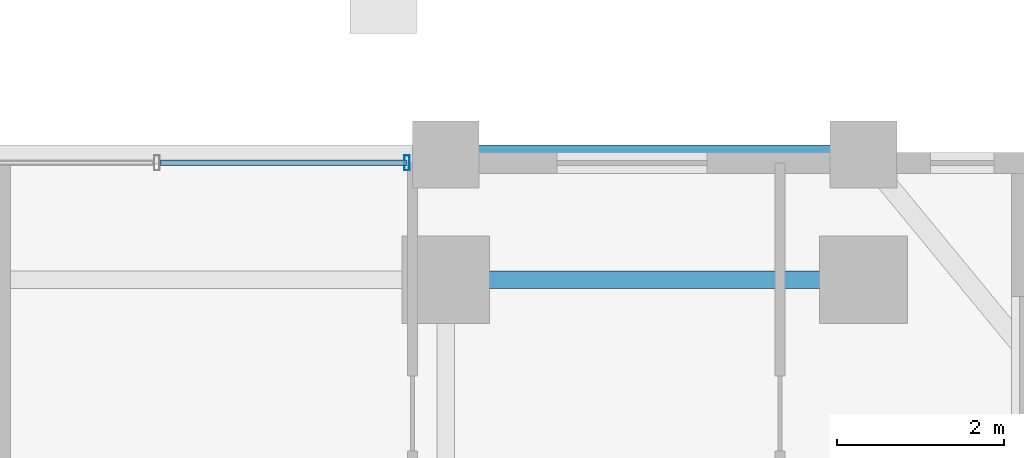
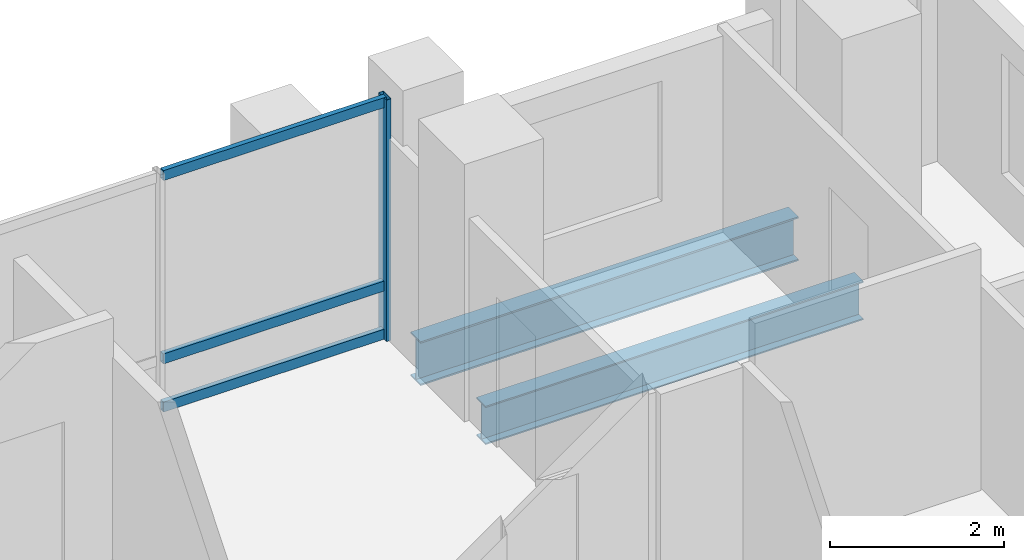
# One storey, part 16 of 24: 4 members, 2 beams, 1 element without a shape of its own.
"""IFC4 building model written with IfcOpenShell, lengths in metres."""

from ifc_helpers import new_model, si_unit, direction, frame, origin, origin_2d, place, context, subcontext, project, spatial, hollow_rectangle, i_section, extrude, material, layer, layer_set, material_profile, profile_set, type_object, element, aggregate, save


model = new_model("IFC4")

# Units and contexts
model_context = context("Model", 3, precision=1e-05, world=origin(), true_north=direction((0.0, 1.0)))
body_context = subcontext(model_context, "Body", "Model", "MODEL_VIEW")
ifc_project = project(units=[si_unit("LENGTHUNIT", "METRE"), si_unit("AREAUNIT", "SQUARE_METRE"), si_unit("VOLUMEUNIT", "CUBIC_METRE"), si_unit("PLANEANGLEUNIT", "RADIAN"), si_unit("MASSUNIT", "GRAM", prefix="KILO")], contexts=[model_context])

# Site, building, storey
site_placement = place(None, origin())
site = spatial("IfcSite", under=ifc_project, at=site_placement, CompositionType="ELEMENT")
building_placement = place(site_placement, origin())
building = spatial("IfcBuilding", under=site, at=building_placement, Name="Barlavira Tower and Art Museum", CompositionType="ELEMENT")
storey_placement = place(building_placement, frame((0.0, 0.0, 180.0)))
storey = spatial("IfcBuildingStorey", under=building, at=storey_placement, Name="L46", CompositionType="ELEMENT", Elevation=180.0)

# Curtain wall, members
ifc_material_1 = material(Name="Low-iron coastal laminated glass", Category="glass")
ifc_layer = layer(ifc_material_1, 0.199951171875, Name="Low-iron coastal laminated glass")
ifc_layer_set = layer_set([ifc_layer], Name="Low-iron coastal laminated glass")
curtain_wall_type = type_object("IfcCurtainWallType", Name="Pale-Metal Unitised Curtain Wall Zone 3", PredefinedType="NOTDEFINED", material=ifc_layer_set)
curtain_wall_placement = place(storey_placement, origin())
curtain_wall = element("IfcCurtainWall", 1, at=curtain_wall_placement, inside=storey, type_object=curtain_wall_type, Name="L46 Curtain Wall CW3-L46-N-B3", PredefinedType="NOTDEFINED")
ifc_material_2 = material(Name="Pale anodised aluminium", Category="aluminium")
ifc_material_profile_1 = material_profile(ifc_material_2, hollow_rectangle(XDim=0.06494140625, YDim=0.179931640625, WallThickness=0.00390625, at=origin_2d()), Name="ALU-MULL 65x180x4")
ifc_profile_set_1 = profile_set([ifc_material_profile_1], Name="Pale anodised aluminium")
member_type_1 = type_object("IfcMemberType", Name="Curtain Wall Pale-Metal Mullion 65x180", PredefinedType="MULLION", material=ifc_profile_set_1)
member_1_placement = place(storey_placement, frame((6.034912109375, 21.39990234375, 0.0), z_axis=(0.0, 0.0, 1.0), x_axis=(-1.0, 0.0, 0.0)))
member_1 = element("IfcMember", 2, at=member_1_placement, type_object=member_type_1, Name="CW3-L46-N-B3 Mullion 0", PredefinedType="MULLION", context=body_context, shape_type="SweptSolid", body=[
    extrude(hollow_rectangle(XDim=0.06494140625, YDim=0.179931640625, WallThickness=0.00390625, at=origin_2d()), origin(), (0.0, 0.0, 1.0), 3.3798828125),
])
ifc_material_profile_2 = material_profile(ifc_material_2, hollow_rectangle(XDim=0.06494140625, YDim=0.139892578125, WallThickness=0.00390625, at=origin_2d()), Name="ALU-TRAN 65x140x4")
ifc_profile_set_2 = profile_set([ifc_material_profile_2], Name="Pale anodised aluminium")
member_type_2 = type_object("IfcMemberType", Name="Curtain Wall Pale-Metal Transom 65x140", PredefinedType="USERDEFINED", material=ifc_profile_set_2)
member_2_placement = place(storey_placement, frame((6.034912109375, 21.39990234375, 0.070068359375), z_axis=(-1.0, 0.0, 0.0), x_axis=(0.0, -1.0, 0.0)))
member_2 = element("IfcMember", 3, at=member_2_placement, type_object=member_type_2, Name="CW3-L46-N-B3 Transom 0.1", ObjectType="TRANSOM", PredefinedType="USERDEFINED", context=body_context, shape_type="SweptSolid", body=[
    extrude(hollow_rectangle(XDim=0.06494140625, YDim=0.139892578125, WallThickness=0.00390625, at=origin_2d()), origin(), (0.0, 0.0, 1.0), 2.949951171875),
])
member_3_placement = place(storey_placement, frame((6.034912109375, 21.39990234375, 0.743896484375), z_axis=(-1.0, 0.0, 0.0), x_axis=(0.0, -1.0, 0.0)))
member_3 = element("IfcMember", 4, at=member_3_placement, type_object=member_type_2, Name="CW3-L46-N-B3 Transom 0.2", ObjectType="TRANSOM", PredefinedType="USERDEFINED", context=body_context, shape_type="SweptSolid", body=[
    extrude(hollow_rectangle(XDim=0.06494140625, YDim=0.139892578125, WallThickness=0.00390625, at=origin_2d()), origin(), (0.0, 0.0, 1.0), 2.949951171875),
])
member_4_placement = place(storey_placement, frame((6.034912109375, 21.39990234375, 3.31005859375), z_axis=(-1.0, 0.0, 0.0), x_axis=(0.0, -1.0, 0.0)))
member_4 = element("IfcMember", 5, at=member_4_placement, type_object=member_type_2, Name="CW3-L46-N-B3 Transom 0.3", ObjectType="TRANSOM", PredefinedType="USERDEFINED", context=body_context, shape_type="SweptSolid", body=[
    extrude(hollow_rectangle(XDim=0.06494140625, YDim=0.139892578125, WallThickness=0.00390625, at=origin_2d()), origin(), (0.0, 0.0, 1.0), 2.949951171875),
])
aggregate(curtain_wall, [member_1, member_2, member_3, member_4])

# Beams
ifc_material_3 = material(Name="Steel S355", Category="steel")
ifc_material_profile_3 = material_profile(ifc_material_3, i_section(OverallWidth=0.22998046875, OverallDepth=0.616943359375, WebThickness=0.01318359375, FlangeThickness=0.022216796875, at=origin_2d()), Name="W610x140.0")
ifc_profile_set_3 = profile_set([ifc_material_profile_3], Name="Steel S355")
beam_type_1 = type_object("IfcBeamType", Name="Upper Shaft Spandrel Edge Beam W610x140 Steel S355", PredefinedType="SPANDREL", material=ifc_profile_set_3)
beam_1_placement = place(storey_placement, frame((6.5, 21.5, -0.528564453125), z_axis=(1.0, 0.0, 0.0), x_axis=(0.0, 1.0, 0.0)))
element("IfcBeam", 6, at=beam_1_placement, inside=storey, type_object=beam_type_1, Name="L46 Spandrel 9", PredefinedType="SPANDREL", context=body_context, shape_type="SweptSolid", body=[
    extrude(i_section(OverallWidth=0.22998046875, OverallDepth=0.616943359375, WebThickness=0.01318359375, FlangeThickness=0.022216796875, at=origin_2d()), origin(), (0.0, 0.0, 1.0), 5.0),
])
ifc_material_profile_4 = material_profile(ifc_material_3, i_section(OverallWidth=0.2109375, OverallDepth=0.5390625, WebThickness=0.01171875, FlangeThickness=0.018798828125, at=origin_2d()), Name="W530x109.0")
ifc_profile_set_4 = profile_set([ifc_material_profile_4], Name="Steel S355")
beam_type_2 = type_object("IfcBeamType", Name="Zone 3-4 Primary Floor Girder W530x109 Steel S355", PredefinedType="BEAM", material=ifc_profile_set_4)
beam_2_placement = place(storey_placement, frame((6.5, 20.0, -0.489501953125), z_axis=(1.0, 0.0, 0.0), x_axis=(0.0, 1.0, 0.0)))
element("IfcBeam", 7, at=beam_2_placement, inside=storey, type_object=beam_type_2, Name="L46 Girder M-N3", PredefinedType="BEAM", context=body_context, shape_type="SweptSolid", body=[
    extrude(i_section(OverallWidth=0.2109375, OverallDepth=0.5390625, WebThickness=0.01171875, FlangeThickness=0.018798828125, at=origin_2d()), origin(), (0.0, 0.0, 1.0), 5.0),
])

save(model, "model.ifc")
